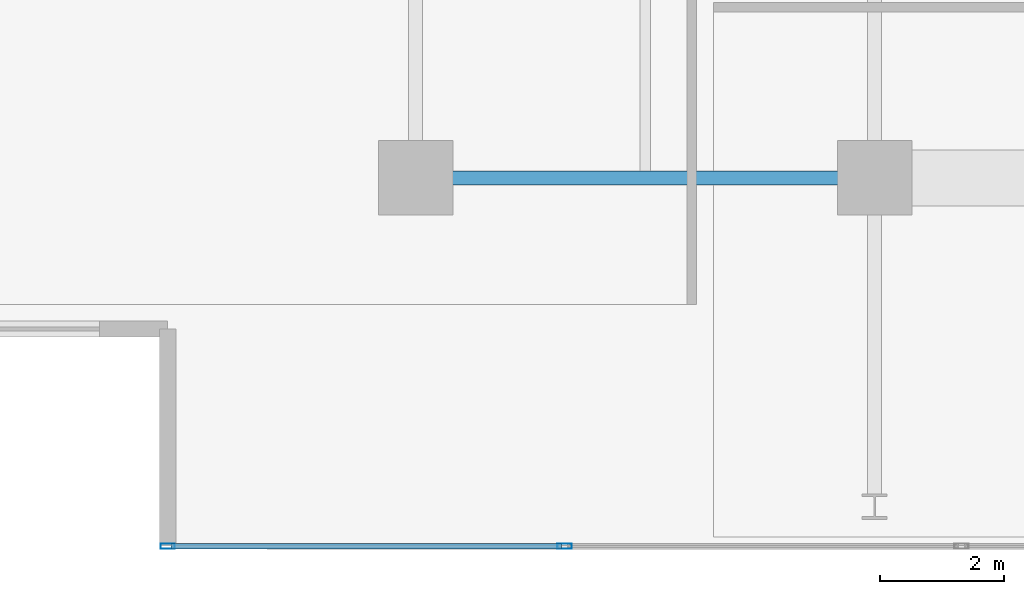
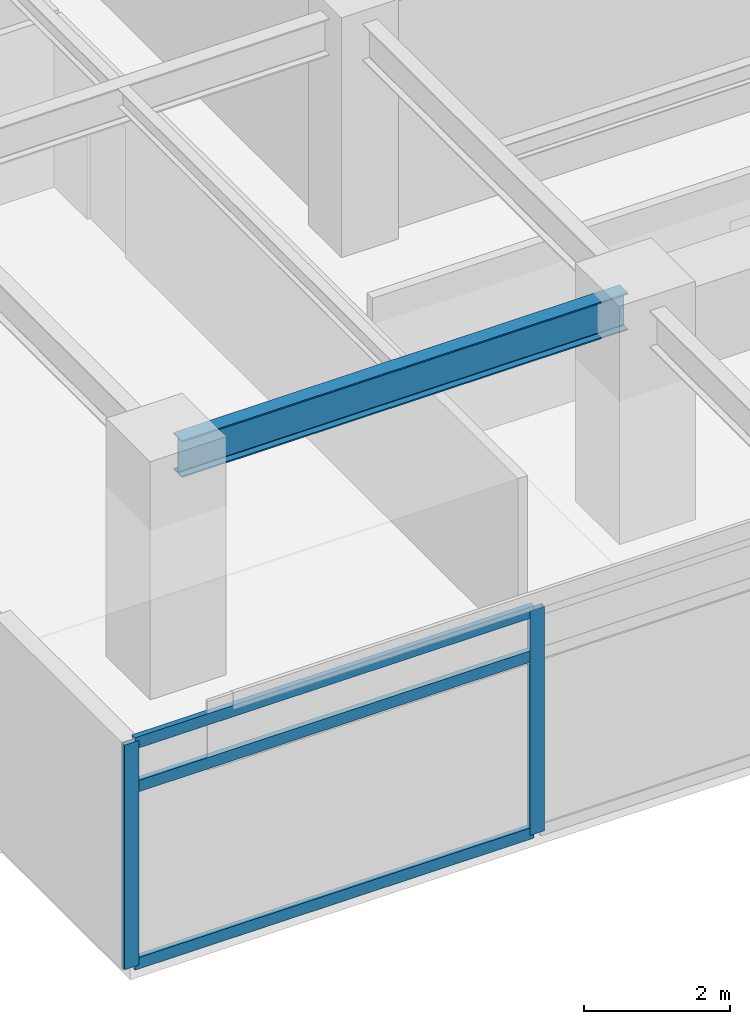
# One storey, part 2 of 18: 5 members, 1 beam, 1 element without a shape of its own.
"""IFC4 building model written with IfcOpenShell, lengths in metres."""

from ifc_helpers import new_model, si_unit, direction, frame, origin, origin_2d, place, context, subcontext, project, spatial, hollow_rectangle, i_section, extrude, material, material_profile, profile_set, type_object, element, aggregate, save


model = new_model("IFC4")

# Units and contexts
model_context = context("Model", 3, precision=1e-05, world=origin(), true_north=direction((0.0, 1.0)))
body_context = subcontext(model_context, "Body", "Model", "MODEL_VIEW")
ifc_project = project(units=[si_unit("LENGTHUNIT", "METRE"), si_unit("AREAUNIT", "SQUARE_METRE"), si_unit("VOLUMEUNIT", "CUBIC_METRE"), si_unit("PLANEANGLEUNIT", "RADIAN"), si_unit("MASSUNIT", "GRAM", prefix="KILO")], contexts=[model_context])

# Site, building, storey
site_placement = place(None, origin())
site = spatial("IfcSite", under=ifc_project, at=site_placement, CompositionType="ELEMENT")
building_placement = place(site_placement, origin())
building = spatial("IfcBuilding", under=site, at=building_placement, Name="Kovane Verandah Tower", CompositionType="ELEMENT")
storey_placement = place(building_placement, frame((0.0, 0.0, 251.199951171875)))
storey = spatial("IfcBuildingStorey", under=building, at=storey_placement, Name="L58", CompositionType="ELEMENT", Elevation=251.199951171875)

# Beam
ifc_material_1 = material(Name="Steel S355", Category="steel")
ifc_material_profile_1 = material_profile(ifc_material_1, i_section(OverallWidth=0.230224609375, OverallDepth=0.6171875, WebThickness=0.01318359375, FlangeThickness=0.022216796875, FilletRadius=0.0126953125, at=origin_2d()), Name="UB610x229x140")
ifc_profile_set_1 = profile_set([ifc_material_profile_1], Name="Steel S355")
beam_type = type_object("IfcBeamType", Name="BM-UB610x140", PredefinedType="BEAM", material=ifc_profile_set_1)
beam_placement = place(storey_placement, frame((21.780029296875, 10.800048828125, 3.4765625), z_axis=(1.0, 0.0, 0.0), x_axis=(0.0, 1.0, 0.0)))
element("IfcBeam", 1, at=beam_placement, inside=storey, type_object=beam_type, Name="L58 Primary Tower Girder G-RS1", PredefinedType="BEAM", context=body_context, shape_type="SweptSolid", body=[
    extrude(i_section(OverallWidth=0.230224609375, OverallDepth=0.6171875, WebThickness=0.01318359375, FlangeThickness=0.022216796875, FilletRadius=0.0126953125, at=origin_2d()), origin(), (0.0, 0.0, 1.0), 7.0400390625),
])

# Curtain wall, members
ifc_material_2 = material(Name="Champagne Anodised Aluminium Frame with Low-E Clear Laminated Glass", Category="aluminium")
curtain_wall_type = type_object("IfcCurtainWallType", Name="CW-SYS-05-HIGH", PredefinedType="NOTDEFINED", material=ifc_material_2)
curtain_wall_placement = place(storey_placement, origin())
curtain_wall = element("IfcCurtainWall", 2, at=curtain_wall_placement, inside=storey, type_object=curtain_wall_type, Name="L58 S Unitised Curtain Wall", PredefinedType="NOTDEFINED")
ifc_material_3 = material(Name="Champagne Anodised Aluminium 6063-T6", Category="aluminium")
ifc_material_profile_2 = material_profile(ifc_material_3, hollow_rectangle(XDim=0.0849609375, YDim=0.22998046875, WallThickness=0.00390625, at=origin_2d()), Name="AL85x230x4")
ifc_profile_set_2 = profile_set([ifc_material_profile_2], Name="Champagne Anodised Aluminium 6063-T6")
member_type_1 = type_object("IfcMemberType", Name="CW-MUL-85x230", PredefinedType="MULLION", material=ifc_profile_set_2)
member_1_placement = place(storey_placement, frame((17.603759765625, 4.8623046875, 0.02001953125), z_axis=(0.0, 0.0, 1.0), x_axis=(0.0, -1.0, 0.0)))
member_1 = element("IfcMember", 3, at=member_1_placement, type_object=member_type_1, Name="L58 S Unitised Curtain Wall Mullion 1", PredefinedType="MULLION", context=body_context, shape_type="SweptSolid", body=[
    extrude(hollow_rectangle(XDim=0.0849609375, YDim=0.22998046875, WallThickness=0.00390625, at=origin_2d()), origin(), (0.0, 0.0, 1.0), 3.7451171875),
])
member_2_placement = place(storey_placement, frame((24.002685546875, 4.8623046875, 0.02001953125), z_axis=(0.0, 0.0, 1.0), x_axis=(0.0, -1.0, 0.0)))
member_2 = element("IfcMember", 4, at=member_2_placement, type_object=member_type_1, Name="L58 S Unitised Curtain Wall Mullion 2", PredefinedType="MULLION", context=body_context, shape_type="SweptSolid", body=[
    extrude(hollow_rectangle(XDim=0.0849609375, YDim=0.22998046875, WallThickness=0.00390625, at=origin_2d()), origin(), (0.0, 0.0, 1.0), 3.7451171875),
])
ifc_material_profile_3 = material_profile(ifc_material_3, hollow_rectangle(XDim=0.0849609375, YDim=0.18994140625, WallThickness=0.00390625, at=origin_2d()), Name="AL85x190x4")
ifc_profile_set_3 = profile_set([ifc_material_profile_3], Name="Champagne Anodised Aluminium 6063-T6")
member_type_2 = type_object("IfcMemberType", Name="CW-TRN-85x190", PredefinedType="USERDEFINED", material=ifc_profile_set_3)
member_3_placement = place(storey_placement, frame((17.65380859375, 4.8623046875, 0.050048828125), z_axis=(1.0, 0.0, 0.0), x_axis=(0.0, 1.0, 0.0)))
member_3 = element("IfcMember", 5, at=member_3_placement, type_object=member_type_2, Name="L58 S Unitised Curtain Wall Transom TB Bay 1", ObjectType="TRANSOM", PredefinedType="USERDEFINED", context=body_context, shape_type="SweptSolid", body=[
    extrude(hollow_rectangle(XDim=0.0849609375, YDim=0.18994140625, WallThickness=0.00390625, at=origin_2d()), origin(), (0.0, 0.0, 1.0), 6.298828125),
])
member_4_placement = place(storey_placement, frame((17.65380859375, 4.8623046875, 3.005126953125), z_axis=(1.0, 0.0, 0.0), x_axis=(0.0, 1.0, 0.0)))
member_4 = element("IfcMember", 6, at=member_4_placement, type_object=member_type_2, Name="L58 S Unitised Curtain Wall Transom TM Bay 1", ObjectType="TRANSOM", PredefinedType="USERDEFINED", context=body_context, shape_type="SweptSolid", body=[
    extrude(hollow_rectangle(XDim=0.0849609375, YDim=0.18994140625, WallThickness=0.00390625, at=origin_2d()), origin(), (0.0, 0.0, 1.0), 6.298828125),
])
member_5_placement = place(storey_placement, frame((17.65380859375, 4.8623046875, 3.735107421875), z_axis=(1.0, 0.0, 0.0), x_axis=(0.0, 1.0, 0.0)))
member_5 = element("IfcMember", 7, at=member_5_placement, type_object=member_type_2, Name="L58 S Unitised Curtain Wall Transom TT Bay 1", ObjectType="TRANSOM", PredefinedType="USERDEFINED", context=body_context, shape_type="SweptSolid", body=[
    extrude(hollow_rectangle(XDim=0.0849609375, YDim=0.18994140625, WallThickness=0.00390625, at=origin_2d()), origin(), (0.0, 0.0, 1.0), 6.298828125),
])
aggregate(curtain_wall, [member_1, member_2, member_3, member_4, member_5])

save(model, "model.ifc")
